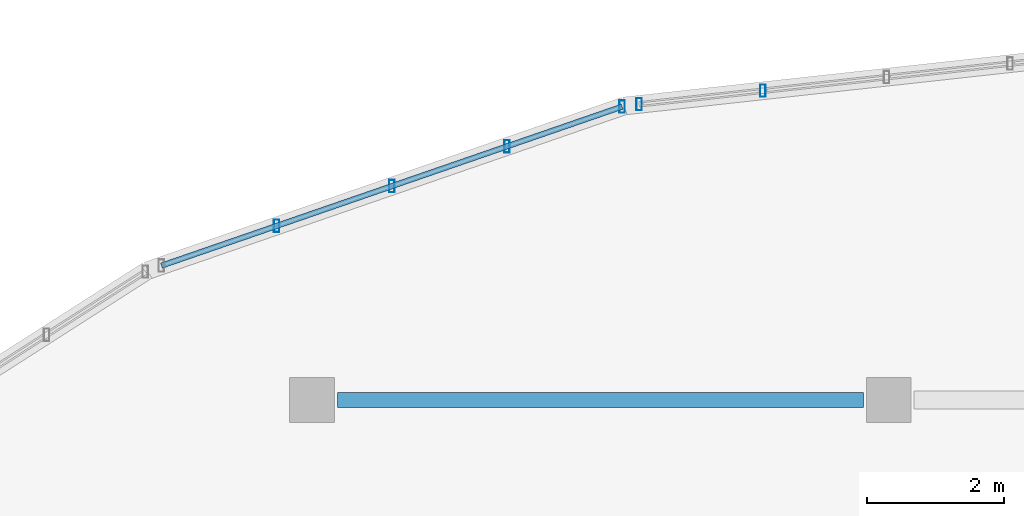
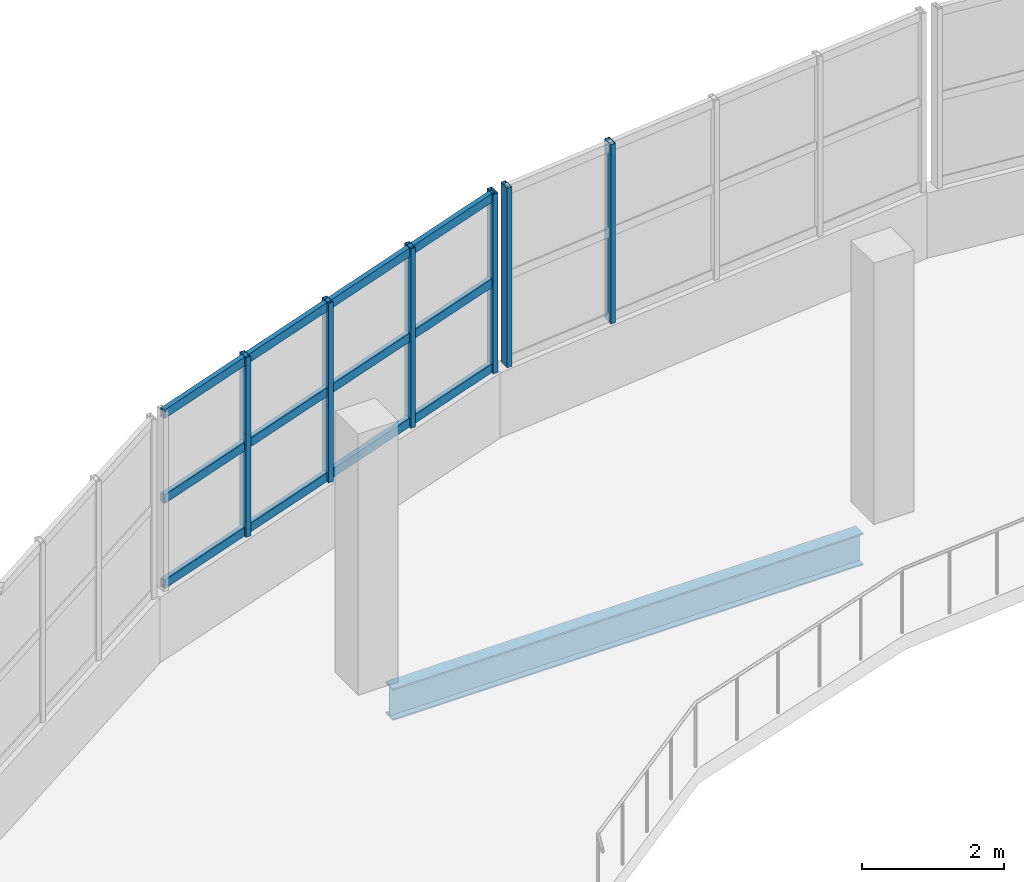
# One storey, part 15 of 50: 9 members, 1 beam, 2 elements without a shape of their own.
"""IFC4 building model written with IfcOpenShell, lengths in metres."""

from ifc_helpers import new_model, si_unit, direction, frame, origin, origin_2d, place, context, subcontext, project, spatial, hollow_rectangle, i_section, extrude, material, material_profile, profile_set, type_object, element, aggregate, save


model = new_model("IFC4")

# Units and contexts
model_context = context("Model", 3, precision=1e-05, world=origin(), true_north=direction((0.0, 1.0)))
body_context = subcontext(model_context, "Body", "Model", "MODEL_VIEW")
ifc_project = project(units=[si_unit("LENGTHUNIT", "METRE"), si_unit("AREAUNIT", "SQUARE_METRE"), si_unit("VOLUMEUNIT", "CUBIC_METRE"), si_unit("PLANEANGLEUNIT", "RADIAN"), si_unit("MASSUNIT", "GRAM", prefix="KILO")], contexts=[model_context])

# Site, building, storey
site_placement = place(None, origin())
site = spatial("IfcSite", under=ifc_project, at=site_placement, CompositionType="ELEMENT")
building_placement = place(site_placement, origin())
building = spatial("IfcBuilding", under=site, at=building_placement, Name="Solvento Point Concert Hall", CompositionType="ELEMENT")
storey_placement = place(building_placement, frame((0.0, 0.0, 15.0)))
storey = spatial("IfcBuildingStorey", under=building, at=storey_placement, Name="L03", CompositionType="ELEMENT", Elevation=15.0)

# Beam
ifc_material_1 = material(Name="Structural Steel ASTM A992 Grade 50", Category="steel")
ifc_material_profile_1 = material_profile(ifc_material_1, i_section(OverallWidth=0.214111328125, OverallDepth=0.549072265625, WebThickness=0.0146484375, FlangeThickness=0.023681640625, at=origin_2d()), Name="W21X93")
ifc_profile_set_1 = profile_set([ifc_material_profile_1], Name="Structural Steel ASTM A992 Grade 50")
beam_type = type_object("IfcBeamType", Name="Beam_W21X93", PredefinedType="BEAM", material=ifc_profile_set_1)
beam_placement = place(storey_placement, frame((49.569091796875, 51.0, -0.53857421875), z_axis=(1.0, 0.0, 0.0), x_axis=(0.0, 1.0, 0.0)))
element("IfcBeam", 1, at=beam_placement, inside=storey, type_object=beam_type, Name="Primary girder B-48 L03", PredefinedType="BEAM", context=body_context, shape_type="SweptSolid", body=[
    extrude(i_section(OverallWidth=0.214111328125, OverallDepth=0.549072265625, WebThickness=0.0146484375, FlangeThickness=0.023681640625, at=origin_2d()), origin(), (0.0, 0.0, 1.0), 7.661865234375),
])

# Curtain wall, members
ifc_material_2 = material(Name="Anodized Bronze Aluminium", Category="aluminium")
curtain_wall_type = type_object("IfcCurtainWallType", Name="CurtainWall_RingRibbon_L03_04", PredefinedType="USERDEFINED", material=ifc_material_2)
curtain_wall_1_placement = place(storey_placement, origin())
curtain_wall_1 = element("IfcCurtainWall", 2, at=curtain_wall_1_placement, inside=storey, type_object=curtain_wall_type, Name="Unitised curtain wall CW-31 UCW-L03-195", ObjectType="UNITISED CURTAIN WALL", PredefinedType="USERDEFINED")
ifc_material_3 = material(Name="Anodized Bronze Aluminium", Category="aluminium")
ifc_material_profile_2 = material_profile(ifc_material_3, hollow_rectangle(XDim=0.080078125, YDim=0.179931640625, WallThickness=0.00390625, at=origin_2d()), Name="CW-MUL-80X180")
ifc_profile_set_2 = profile_set([ifc_material_profile_2], Name="Anodized Bronze Aluminium")
member_type_1 = type_object("IfcMemberType", Name="Mullion_80x180", PredefinedType="MULLION", material=ifc_profile_set_2)
member_1_placement = place(storey_placement, frame((48.685302734375, 53.535400390625, 1.1201171875), z_axis=(0.0, 0.0, 1.0), x_axis=(1.0, 0.0, 0.0)))
member_1 = element("IfcMember", 3, at=member_1_placement, type_object=member_type_1, Name="Curtain wall mullion ML-01", PredefinedType="MULLION", context=body_context, shape_type="SweptSolid", body=[
    extrude(hollow_rectangle(XDim=0.080078125, YDim=0.179931640625, WallThickness=0.00390625, at=origin_2d()), origin(), (0.0, 0.0, 1.0), 3.08984375),
])
member_2_placement = place(storey_placement, frame((50.36279296875, 54.114501953125, 1.1201171875), z_axis=(0.0, 0.0, 1.0), x_axis=(1.0, 0.0, 0.0)))
member_2 = element("IfcMember", 4, at=member_2_placement, type_object=member_type_1, Name="Curtain wall mullion ML-01", PredefinedType="MULLION", context=body_context, shape_type="SweptSolid", body=[
    extrude(hollow_rectangle(XDim=0.080078125, YDim=0.179931640625, WallThickness=0.00390625, at=origin_2d()), origin(), (0.0, 0.0, 1.0), 3.08984375),
])
member_3_placement = place(storey_placement, frame((52.040283203125, 54.693359375, 1.1201171875), z_axis=(0.0, 0.0, 1.0), x_axis=(1.0, 0.0, 0.0)))
member_3 = element("IfcMember", 5, at=member_3_placement, type_object=member_type_1, Name="Curtain wall mullion ML-01", PredefinedType="MULLION", context=body_context, shape_type="SweptSolid", body=[
    extrude(hollow_rectangle(XDim=0.080078125, YDim=0.179931640625, WallThickness=0.00390625, at=origin_2d()), origin(), (0.0, 0.0, 1.0), 3.08984375),
])
member_4_placement = place(storey_placement, frame((53.717529296875, 55.2724609375, 1.1201171875), z_axis=(0.0, 0.0, 1.0), x_axis=(1.0, 0.0, 0.0)))
member_4 = element("IfcMember", 6, at=member_4_placement, type_object=member_type_1, Name="Curtain wall mullion ML-01", PredefinedType="MULLION", context=body_context, shape_type="SweptSolid", body=[
    extrude(hollow_rectangle(XDim=0.080078125, YDim=0.179931640625, WallThickness=0.00390625, at=origin_2d()), origin(), (0.0, 0.0, 1.0), 3.08984375),
])

curtain_wall_2_placement = place(storey_placement, origin())
curtain_wall_2 = element("IfcCurtainWall", 7, at=curtain_wall_2_placement, inside=storey, type_object=curtain_wall_type, Name="Unitised curtain wall CW-31 UCW-L03-196", ObjectType="UNITISED CURTAIN WALL", PredefinedType="USERDEFINED")
member_5_placement = place(storey_placement, frame((53.964599609375, 55.30615234375, 1.1201171875), z_axis=(0.0, 0.0, 1.0), x_axis=(1.0, 0.0, 0.0)))
member_5 = element("IfcMember", 8, at=member_5_placement, type_object=member_type_1, Name="Curtain wall mullion ML-01", PredefinedType="MULLION", context=body_context, shape_type="SweptSolid", body=[
    extrude(hollow_rectangle(XDim=0.080078125, YDim=0.179931640625, WallThickness=0.00390625, at=origin_2d()), origin(), (0.0, 0.0, 1.0), 3.08984375),
])
member_6_placement = place(storey_placement, frame((55.76611328125, 55.50390625, 1.1201171875), z_axis=(0.0, 0.0, 1.0), x_axis=(1.0, 0.0, 0.0)))
member_6 = element("IfcMember", 9, at=member_6_placement, type_object=member_type_1, Name="Curtain wall mullion ML-01", PredefinedType="MULLION", context=body_context, shape_type="SweptSolid", body=[
    extrude(hollow_rectangle(XDim=0.080078125, YDim=0.179931640625, WallThickness=0.00390625, at=origin_2d()), origin(), (0.0, 0.0, 1.0), 3.08984375),
])
aggregate(curtain_wall_2, [member_5, member_6])

# Member
ifc_material_4 = material(Name="Anodized Bronze Aluminium", Category="aluminium")
ifc_material_profile_3 = material_profile(ifc_material_4, hollow_rectangle(XDim=0.080078125, YDim=0.14990234375, WallThickness=0.00390625, at=origin_2d()), Name="CW-TRN-80X150")
ifc_profile_set_3 = profile_set([ifc_material_profile_3], Name="Anodized Bronze Aluminium")
member_type_2 = type_object("IfcMemberType", Name="Transom_80x150", PredefinedType="USERDEFINED", material=ifc_profile_set_3)
member_7_placement = place(storey_placement, frame((47.008056640625, 52.956298828125, 1.199951171875), z_axis=(0.945262173696, 0.326311849278, 0.0), x_axis=(-0.326311849278, 0.945262173696, 0.0)))
member_7 = element("IfcMember", 10, at=member_7_placement, type_object=member_type_2, Name="Curtain wall transom TR-01", ObjectType="TRANSOM", PredefinedType="USERDEFINED", context=body_context, shape_type="SweptSolid", body=[
    extrude(hollow_rectangle(XDim=0.080078125, YDim=0.14990234375, WallThickness=0.00390625, at=origin_2d()), origin(), (0.0, 0.0, 1.0), 7.097900390625),
])

member_8_placement = place(storey_placement, frame((47.008056640625, 52.956298828125, 2.6650390625), z_axis=(0.945262173696, 0.326311849278, 0.0), x_axis=(-0.326311849278, 0.945262173696, 0.0)))
member_8 = element("IfcMember", 11, at=member_8_placement, type_object=member_type_2, Name="Curtain wall transom TR-01", ObjectType="TRANSOM", PredefinedType="USERDEFINED", context=body_context, shape_type="SweptSolid", body=[
    extrude(hollow_rectangle(XDim=0.080078125, YDim=0.14990234375, WallThickness=0.00390625, at=origin_2d()), origin(), (0.0, 0.0, 1.0), 7.097900390625),
])

member_9_placement = place(storey_placement, frame((47.008056640625, 52.956298828125, 4.1298828125), z_axis=(0.945262173696, 0.326311849278, 0.0), x_axis=(-0.326311849278, 0.945262173696, 0.0)))
member_9 = element("IfcMember", 12, at=member_9_placement, type_object=member_type_2, Name="Curtain wall transom TR-01", ObjectType="TRANSOM", PredefinedType="USERDEFINED", context=body_context, shape_type="SweptSolid", body=[
    extrude(hollow_rectangle(XDim=0.080078125, YDim=0.14990234375, WallThickness=0.00390625, at=origin_2d()), origin(), (0.0, 0.0, 1.0), 7.097900390625),
])

aggregate(curtain_wall_1, [member_1, member_2, member_3, member_4, member_7, member_8, member_9])

save(model, "model.ifc")
